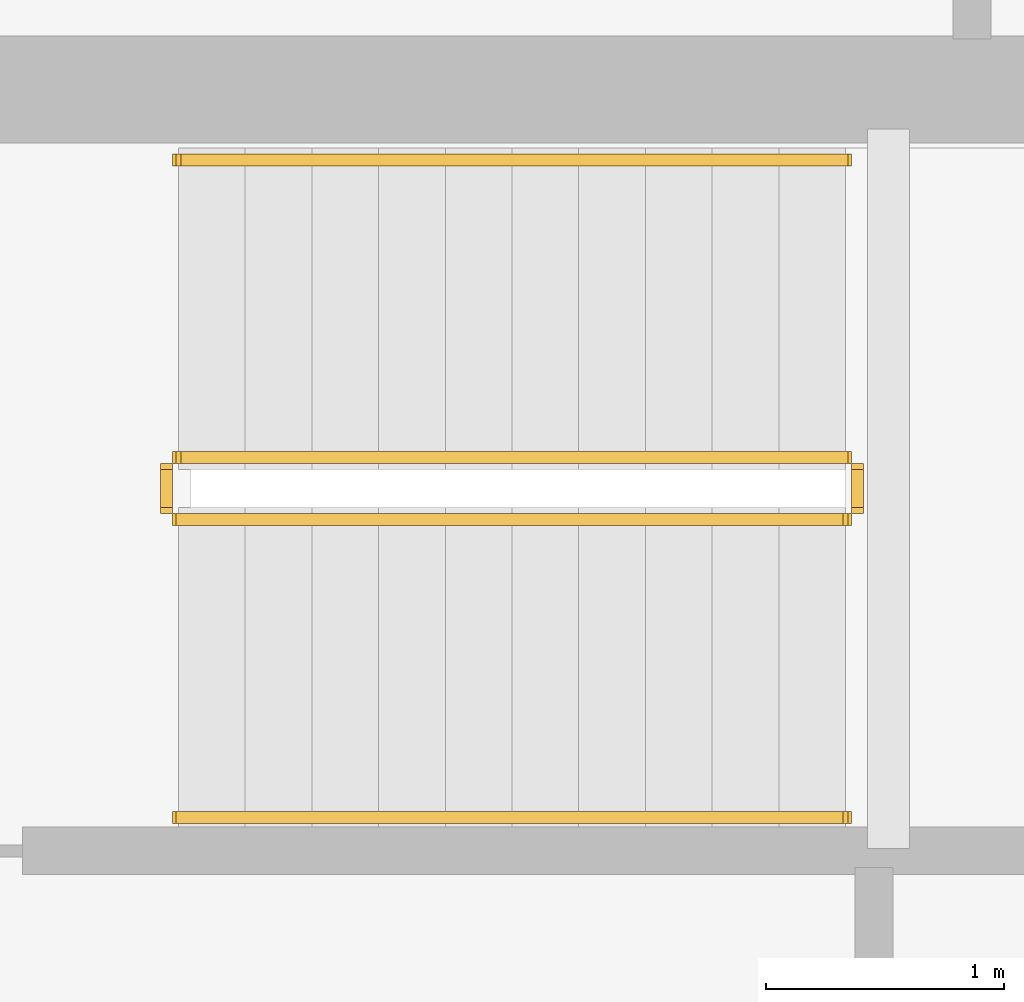
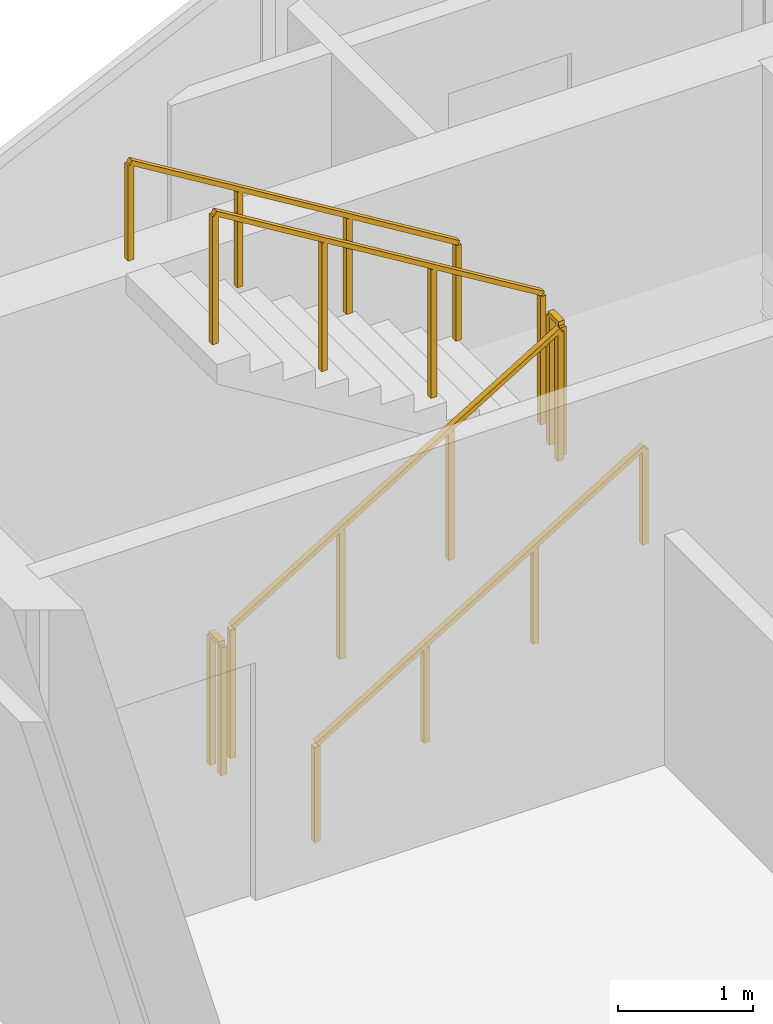
# One storey, part 14 of 14: 6 railings.
"""IFC4 building model written with IfcOpenShell, lengths in metres."""

from ifc_helpers import new_model, si_unit, direction, frame, origin, origin_2d, place, context, subcontext, project, spatial, rectangle, extrude, material, type_object, element, save


model = new_model("IFC4")

# Units and contexts
model_context = context("Model", 3, precision=1e-05, world=origin(), true_north=direction((0.0, 1.0)))
body_context = subcontext(model_context, "Body", "Model", "MODEL_VIEW")
ifc_project = project(units=[si_unit("LENGTHUNIT", "METRE"), si_unit("AREAUNIT", "SQUARE_METRE"), si_unit("VOLUMEUNIT", "CUBIC_METRE"), si_unit("PLANEANGLEUNIT", "RADIAN"), si_unit("MASSUNIT", "GRAM", prefix="KILO")], contexts=[model_context])

# Site, building, storey
site_placement = place(None, origin())
site = spatial("IfcSite", under=ifc_project, at=site_placement, CompositionType="ELEMENT")
building_placement = place(site_placement, origin())
building = spatial("IfcBuilding", under=site, at=building_placement, Name="Qianvela Tower", CompositionType="ELEMENT")
storey_placement = place(building_placement, frame((0.0, 0.0, 363.800048828125)))
storey = spatial("IfcBuildingStorey", under=building, at=storey_placement, Name="L94", CompositionType="ELEMENT", Elevation=363.800048828125)

# Railings
ifc_material_1 = material(Name="Painted Tubular Steel Q355B", Category="steel")
railing_type_1 = type_object("IfcRailingType", Name="RL-STAIR-GUARD-1200", PredefinedType="GUARDRAIL", material=ifc_material_1)
railing_1_placement = place(storey_placement, frame((32.199951171875, 30.840087890625, 0.17041015625)))
element("IfcRailing", 1, at=railing_1_placement, inside=storey, type_object=railing_type_1, Name="L94 ST-1 stair guard 1", PredefinedType="GUARDRAIL", context=body_context, shape_type="SweptSolid", body=[
    extrude(rectangle(XDim=0.050048828125, YDim=0.0400390625, at=origin_2d()), frame((0.0, 0.0, 1.179931640625), z_axis=(0.854169791009, 0.0, 0.51999420009), x_axis=(0.0, 1.0, 0.0)), (0.0, 0.0, 1.0), 3.278076171875),
    extrude(rectangle(XDim=0.050048828125, YDim=0.050048828125, at=origin_2d()), origin(), (0.0, 0.0, 1.0), 1.159912109375),
    extrude(rectangle(XDim=0.050048828125, YDim=0.050048828125, at=origin_2d()), frame((0.933349609375, 0.0, 0.568115234375)), (0.0, 0.0, 1.0), 1.159912109375),
    extrude(rectangle(XDim=0.050048828125, YDim=0.050048828125, at=origin_2d()), frame((1.86669921875, 0.0, 1.136474609375)), (0.0, 0.0, 1.0), 1.159912109375),
    extrude(rectangle(XDim=0.050048828125, YDim=0.050048828125, at=origin_2d()), frame((2.800048828125, 0.0, 1.70458984375)), (0.0, 0.0, 1.0), 1.159912109375),
])
railing_2_placement = place(storey_placement, frame((35.050048828125, 30.889892578125, 1.875)))
element("IfcRailing", 2, at=railing_2_placement, inside=storey, type_object=railing_type_1, Name="L94 ST-1 stair guard 2", PredefinedType="GUARDRAIL", context=body_context, shape_type="SweptSolid", body=[
    extrude(rectangle(XDim=0.050048828125, YDim=0.0400390625, at=origin_2d()), frame((0.0, 0.0, 1.179931640625), z_axis=(0.0, 1.0, 0.0), x_axis=(-1.0, 0.0, 0.0)), (0.0, 0.0, 1.0), 0.16015625),
    extrude(rectangle(XDim=0.050048828125, YDim=0.050048828125, at=origin_2d()), origin(), (0.0, 0.0, 1.0), 1.159912109375),
    extrude(rectangle(XDim=0.050048828125, YDim=0.050048828125, at=origin_2d()), frame((0.0, 0.16015625, 0.0)), (0.0, 0.0, 1.0), 1.159912109375),
])
railing_3_placement = place(storey_placement, frame((35.0, 31.10009765625, 2.04541015625)))
element("IfcRailing", 3, at=railing_3_placement, inside=storey, type_object=railing_type_1, Name="L94 ST-1 stair guard 3", PredefinedType="GUARDRAIL", context=body_context, shape_type="SweptSolid", body=[
    extrude(rectangle(XDim=0.050048828125, YDim=0.0400390625, at=origin_2d()), frame((0.0, 0.0, 1.179931640625), z_axis=(-0.854169791009, 0.0, 0.51999420009), x_axis=(0.0, -1.0, 0.0)), (0.0, 0.0, 1.0), 3.278076171875),
    extrude(rectangle(XDim=0.050048828125, YDim=0.050048828125, at=origin_2d()), origin(), (0.0, 0.0, 1.0), 1.159912109375),
    extrude(rectangle(XDim=0.050048828125, YDim=0.050048828125, at=origin_2d()), frame((-0.933349609375, 0.0, 0.568115234375)), (0.0, 0.0, 1.0), 1.159912109375),
    extrude(rectangle(XDim=0.050048828125, YDim=0.050048828125, at=origin_2d()), frame((-1.86669921875, 0.0, 1.136474609375)), (0.0, 0.0, 1.0), 1.159912109375),
    extrude(rectangle(XDim=0.050048828125, YDim=0.050048828125, at=origin_2d()), frame((-2.800048828125, 0.0, 1.70458984375)), (0.0, 0.0, 1.0), 1.159912109375),
])
railing_4_placement = place(storey_placement, frame((32.14990234375, 30.889892578125, 0.0)))
element("IfcRailing", 4, at=railing_4_placement, inside=storey, type_object=railing_type_1, Name="L94 ST-1 stair guard 4", PredefinedType="GUARDRAIL", context=body_context, shape_type="SweptSolid", body=[
    extrude(rectangle(XDim=0.050048828125, YDim=0.0400390625, at=origin_2d()), frame((0.0, 0.0, 1.179931640625), z_axis=(0.0, 1.0, 0.0), x_axis=(-1.0, 0.0, 0.0)), (0.0, 0.0, 1.0), 0.16015625),
    extrude(rectangle(XDim=0.050048828125, YDim=0.050048828125, at=origin_2d()), origin(), (0.0, 0.0, 1.0), 1.159912109375),
    extrude(rectangle(XDim=0.050048828125, YDim=0.050048828125, at=origin_2d()), frame((0.0, 0.16015625, 0.0)), (0.0, 0.0, 1.0), 1.159912109375),
])
ifc_material_2 = material(Name="Brushed Stainless Steel 304", Category="steel")
railing_type_2 = type_object("IfcRailingType", Name="RL-STAIR-HANDRAIL-900", PredefinedType="HANDRAIL", material=ifc_material_2)
railing_5_placement = place(storey_placement, frame((32.199951171875, 29.590087890625, 0.17041015625)))
element("IfcRailing", 5, at=railing_5_placement, inside=storey, type_object=railing_type_2, Name="L94 ST-1 stair handrail 1", PredefinedType="HANDRAIL", context=body_context, shape_type="SweptSolid", body=[
    extrude(rectangle(XDim=0.050048828125, YDim=0.0400390625, at=origin_2d()), frame((0.0, 0.0, 0.8798828125), z_axis=(0.854169791009, 0.0, 0.51999420009), x_axis=(0.0, 1.0, 0.0)), (0.0, 0.0, 1.0), 3.278076171875),
    extrude(rectangle(XDim=0.050048828125, YDim=0.050048828125, at=origin_2d()), origin(), (0.0, 0.0, 1.0), 0.85986328125),
    extrude(rectangle(XDim=0.050048828125, YDim=0.050048828125, at=origin_2d()), frame((0.933349609375, 0.0, 0.568115234375)), (0.0, 0.0, 1.0), 0.85986328125),
    extrude(rectangle(XDim=0.050048828125, YDim=0.050048828125, at=origin_2d()), frame((1.86669921875, 0.0, 1.136474609375)), (0.0, 0.0, 1.0), 0.85986328125),
    extrude(rectangle(XDim=0.050048828125, YDim=0.050048828125, at=origin_2d()), frame((2.800048828125, 0.0, 1.70458984375)), (0.0, 0.0, 1.0), 0.85986328125),
])
railing_6_placement = place(storey_placement, frame((35.0, 32.35009765625, 2.04541015625)))
element("IfcRailing", 6, at=railing_6_placement, inside=storey, type_object=railing_type_2, Name="L94 ST-1 stair handrail 2", PredefinedType="HANDRAIL", context=body_context, shape_type="SweptSolid", body=[
    extrude(rectangle(XDim=0.050048828125, YDim=0.0400390625, at=origin_2d()), frame((0.0, 0.0, 0.8798828125), z_axis=(-0.854169791009, 0.0, 0.51999420009), x_axis=(0.0, -1.0, 0.0)), (0.0, 0.0, 1.0), 3.278076171875),
    extrude(rectangle(XDim=0.050048828125, YDim=0.050048828125, at=origin_2d()), origin(), (0.0, 0.0, 1.0), 0.85986328125),
    extrude(rectangle(XDim=0.050048828125, YDim=0.050048828125, at=origin_2d()), frame((-0.933349609375, 0.0, 0.568115234375)), (0.0, 0.0, 1.0), 0.85986328125),
    extrude(rectangle(XDim=0.050048828125, YDim=0.050048828125, at=origin_2d()), frame((-1.86669921875, 0.0, 1.136474609375)), (0.0, 0.0, 1.0), 0.85986328125),
    extrude(rectangle(XDim=0.050048828125, YDim=0.050048828125, at=origin_2d()), frame((-2.800048828125, 0.0, 1.70458984375)), (0.0, 0.0, 1.0), 0.85986328125),
])

save(model, "model.ifc")
